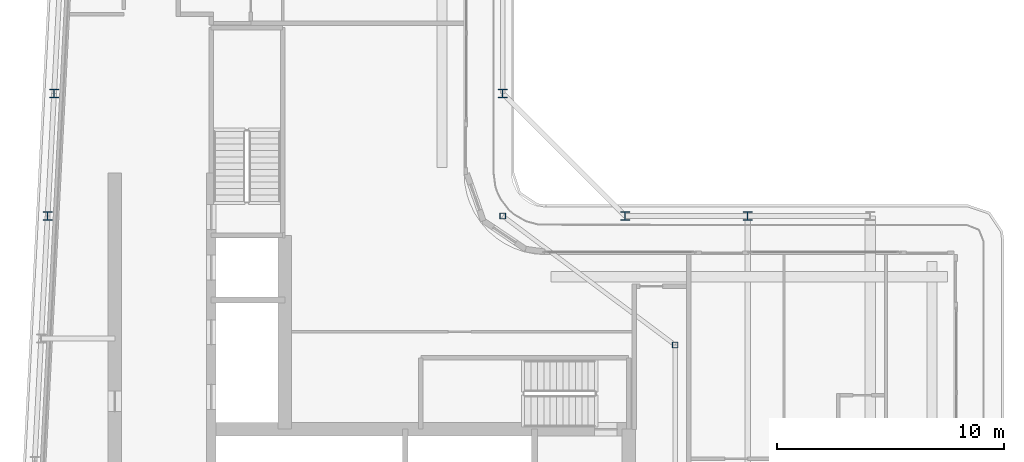
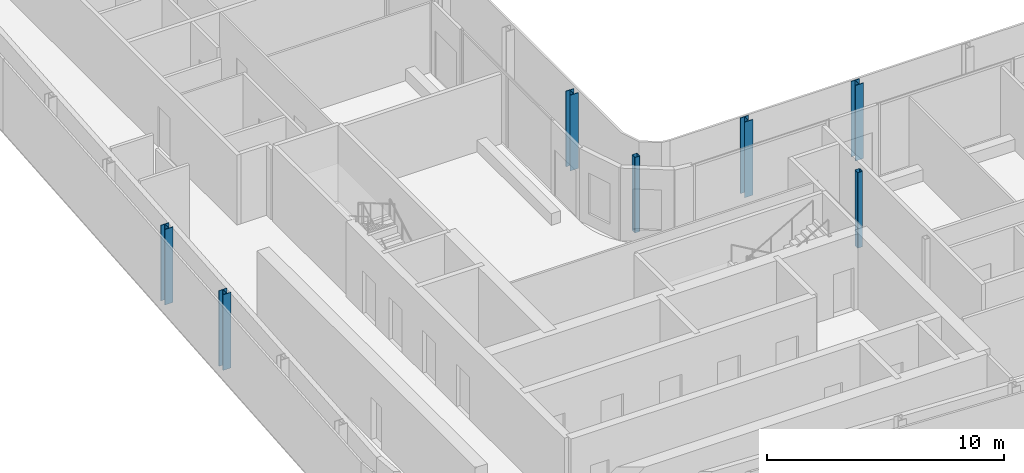
# One storey, part 2 of 21: 7 columns.
"""IFC4 building model written with IfcOpenShell, lengths in metres."""

from ifc_helpers import new_model, si_unit, direction, frame, origin, origin_2d, place, context, subcontext, project, spatial, hollow_rectangle, i_section, extrude, material, material_profile, profile_set, type_object, element, save


model = new_model("IFC4")

# Units and contexts
model_context = context("Model", 3, precision=1e-05, world=origin(), true_north=direction((0.0, 1.0)))
body_context = subcontext(model_context, "Body", "Model", "MODEL_VIEW")
ifc_project = project(units=[si_unit("LENGTHUNIT", "METRE"), si_unit("AREAUNIT", "SQUARE_METRE"), si_unit("VOLUMEUNIT", "CUBIC_METRE"), si_unit("PLANEANGLEUNIT", "RADIAN"), si_unit("MASSUNIT", "GRAM", prefix="KILO")], contexts=[model_context])

# Site, building, storey
site_placement = place(None, origin())
site = spatial("IfcSite", under=ifc_project, at=site_placement, CompositionType="ELEMENT")
building_placement = place(site_placement, origin())
building = spatial("IfcBuilding", under=site, at=building_placement, Name="Kheshtan School and Residences Tower", CompositionType="ELEMENT")
storey_placement = place(building_placement, frame((0.0, 0.0, 294.199951171875)))
storey = spatial("IfcBuildingStorey", under=building, at=storey_placement, Name="L69", CompositionType="ELEMENT", Elevation=294.199951171875)

# Columns
ifc_material_1 = material(Name="Steel ASTM A992 Grade 50", Category="steel")
ifc_material_profile_1 = material_profile(ifc_material_1, i_section(OverallWidth=0.39501953125, OverallDepth=0.3798828125, WebThickness=0.018798828125, FlangeThickness=0.0302734375, FilletRadius=0.011474609375, at=origin_2d()), Name="W360x237")
ifc_profile_set_1 = profile_set([ifc_material_profile_1], Name="Steel ASTM A992 Grade 50")
column_type_1 = type_object("IfcColumnType", Name="Column C5 W360x237 ASTM A992 Grade 50", PredefinedType="COLUMN", material=ifc_profile_set_1)
for number, where, z_axis, x_axis, name in (
    (1, (27.537109375, 45.60009765625, 0.0), (0.0, 0.0, 1.0), (1.0, 0.0, 0.0), "Column C059"),
    (2, (53.0, 45.60009765625, 0.0), (0.0, 0.0, 1.0), (1.0, 0.0, 0.0), "Column C061"),
    (3, (58.39990234375, 45.60009765625, 0.0), (0.0, 0.0, 1.0), (1.0, 0.0, 0.0), "Column C062"),
    (4, (27.822021484375, 51.0, 0.0), (0.0, 0.0, 1.0), (1.0, 0.0, 0.0), "Column C078"),
    (5, (47.60009765625, 51.0, 0.0), (0.0, 0.0, 1.0), (1.0, 0.0, 0.0), "Column C079"),
):
    element("IfcColumn", number, at=place(storey_placement, frame(where, z_axis=z_axis, x_axis=x_axis)), inside=storey, type_object=column_type_1, Name=name, PredefinedType="COLUMN", context=body_context, shape_type="SweptSolid", body=[
        extrude(i_section(OverallWidth=0.39501953125, OverallDepth=0.3798828125, WebThickness=0.018798828125, FlangeThickness=0.0302734375, FilletRadius=0.011474609375, at=origin_2d()), origin(), (0.0, 0.0, 1.0), 3.900146484375),
    ])
ifc_material_2 = material(Name="Steel ASTM A500 Grade C", Category="steel")
ifc_material_profile_2 = material_profile(ifc_material_2, hollow_rectangle(XDim=0.25390625, YDim=0.25390625, WallThickness=0.0126953125, InnerFilletRadius=0.0126953125, OuterFilletRadius=0.025390625, at=origin_2d()), Name="HSS 254x254x12.7")
ifc_profile_set_2 = profile_set([ifc_material_profile_2], Name="Steel ASTM A500 Grade C")
column_type_2 = type_object("IfcColumnType", Name="Column IC3 HSS 254x254x12.7 ASTM A500 Grade C", PredefinedType="COLUMN", material=ifc_profile_set_2)
for number, where, z_axis, x_axis, name in (
    (6, (55.199951171875, 39.916015625, 0.0), (0.0, 0.0, 1.0), (1.0, 0.0, 0.0), "Column C055"),
    (7, (47.60009765625, 45.60009765625, 0.0), (0.0, 0.0, 1.0), (1.0, 0.0, 0.0), "Column C060"),
):
    element("IfcColumn", number, at=place(storey_placement, frame(where, z_axis=z_axis, x_axis=x_axis)), inside=storey, type_object=column_type_2, Name=name, PredefinedType="COLUMN", context=body_context, shape_type="SweptSolid", body=[
        extrude(hollow_rectangle(XDim=0.25390625, YDim=0.25390625, WallThickness=0.0126953125, InnerFilletRadius=0.0126953125, OuterFilletRadius=0.025390625, at=origin_2d()), origin(), (0.0, 0.0, 1.0), 3.900146484375),
    ])

save(model, "model.ifc")
